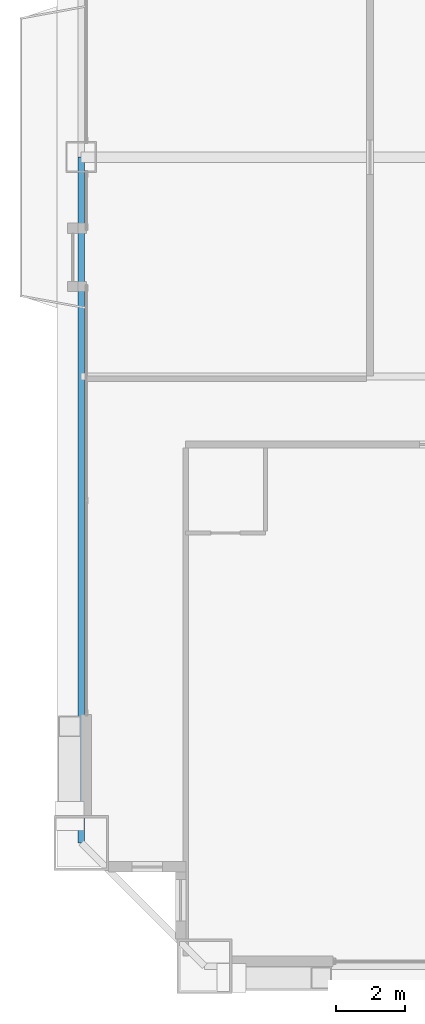
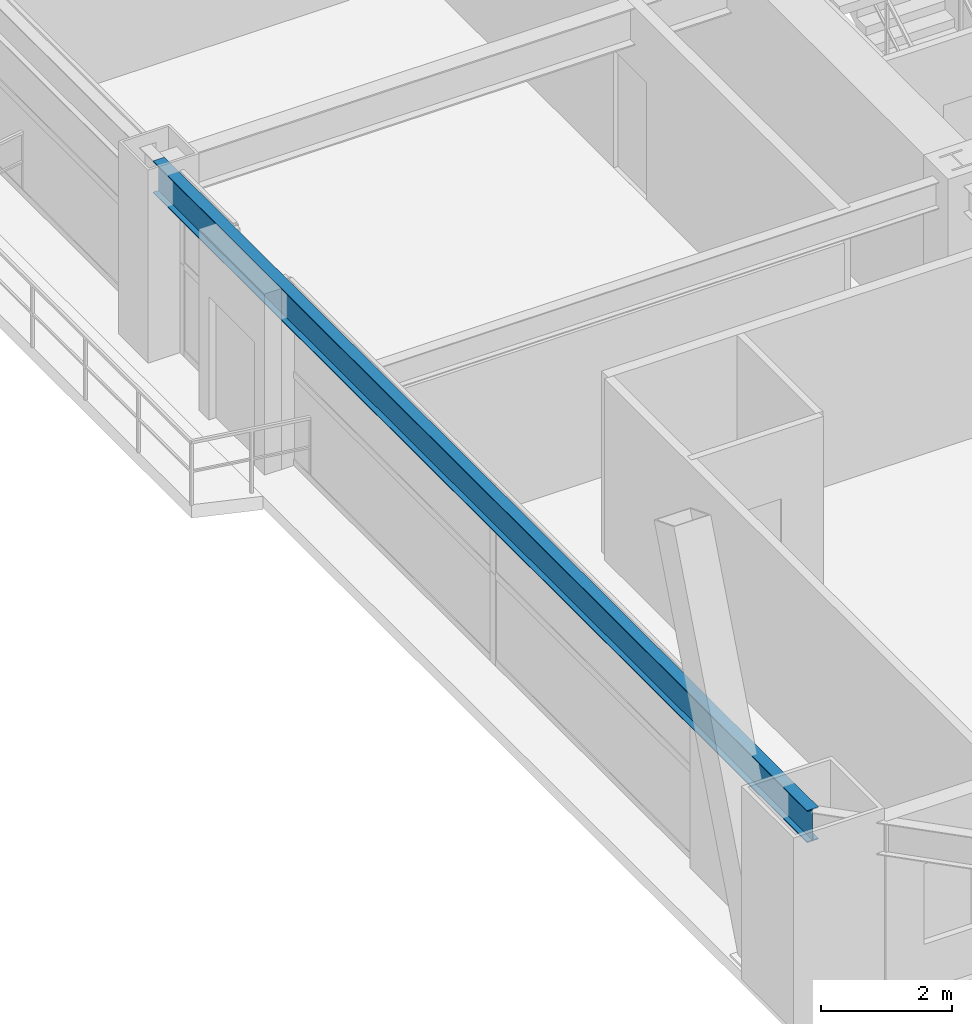
# One storey, part 6 of 41: 1 beam.
"""IFC4 building model written with IfcOpenShell, lengths in metres."""

from ifc_helpers import new_model, si_unit, direction, frame, origin, origin_2d, place, context, subcontext, project, spatial, i_section, extrude, source, transform, mapped, material, material_profile, profile_set, type_object, element, save


model = new_model("IFC4")

# Units and contexts
model_context = context("Model", 3, precision=1e-05, world=origin(), true_north=direction((0.0, 1.0)))
body_context = subcontext(model_context, "Body", "Model", "MODEL_VIEW")
ifc_project = project(units=[si_unit("LENGTHUNIT", "METRE"), si_unit("AREAUNIT", "SQUARE_METRE"), si_unit("VOLUMEUNIT", "CUBIC_METRE"), si_unit("PLANEANGLEUNIT", "RADIAN"), si_unit("MASSUNIT", "GRAM", prefix="KILO"), si_unit("THERMODYNAMICTEMPERATUREUNIT", "KELVIN"), si_unit("POWERUNIT", "WATT")], contexts=[model_context])

# Site, building, storey
site_placement = place(None, origin())
site = spatial("IfcSite", under=ifc_project, at=site_placement, CompositionType="ELEMENT")
building_placement = place(site_placement, origin())
building = spatial("IfcBuilding", under=site, at=building_placement, Name="Yuzanri Waterfront Tower", CompositionType="ELEMENT")
storey_placement = place(building_placement, frame((0.0, 0.0, 115.39990234375)))
storey = spatial("IfcBuildingStorey", under=building, at=storey_placement, Name="L30", CompositionType="ELEMENT", Elevation=115.39990234375)

# Beam
ifc_material = material(Name="Steel Q355B", Category="steel")
ifc_material_profile = material_profile(ifc_material, i_section(OverallWidth=0.199951171875, OverallDepth=0.60009765625, WebThickness=0.010986328125, FlangeThickness=0.01708984375, at=origin_2d()), Name="HN 600x200x11x17")
ifc_profile_set = profile_set([ifc_material_profile], Name="Steel Q355B")
beam_type = type_object("IfcBeamType", Name="Perimeter Spandrel Q355B HN 600x200", PredefinedType="SPANDREL", material=ifc_profile_set)
shared_shape = source(origin(), body_context, "Body", "SweptSolid", [
    extrude(i_section(OverallWidth=0.199951171875, OverallDepth=0.60009765625, WebThickness=0.010986328125, FlangeThickness=0.01708984375, at=origin_2d()), origin(), (0.0, 0.0, 1.0), 20.0),
])
beam_placement = place(storey_placement, frame((13.39990234375, 25.800048828125, 3.080078125), z_axis=(0.0, -1.0, 0.0), x_axis=(1.0, 0.0, 0.0)))
element("IfcBeam", 1, at=beam_placement, inside=storey, type_object=beam_type, Name="L30 Perimeter Spandrel W2-W1", PredefinedType="SPANDREL", context=body_context, shape_type="MappedRepresentation", body=[
    mapped(shared_shape, transform((0.0, 0.0, 0.0), scale=1.0)),
])

save(model, "model.ifc")
